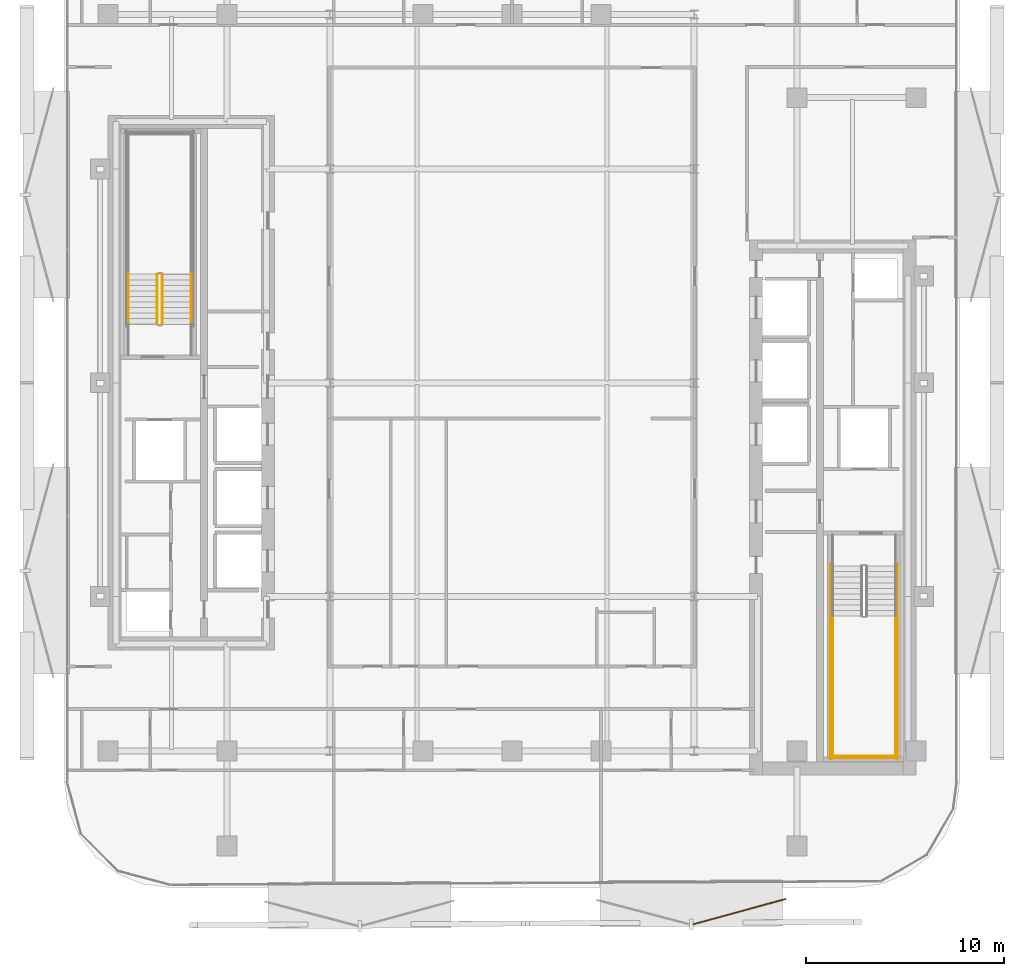
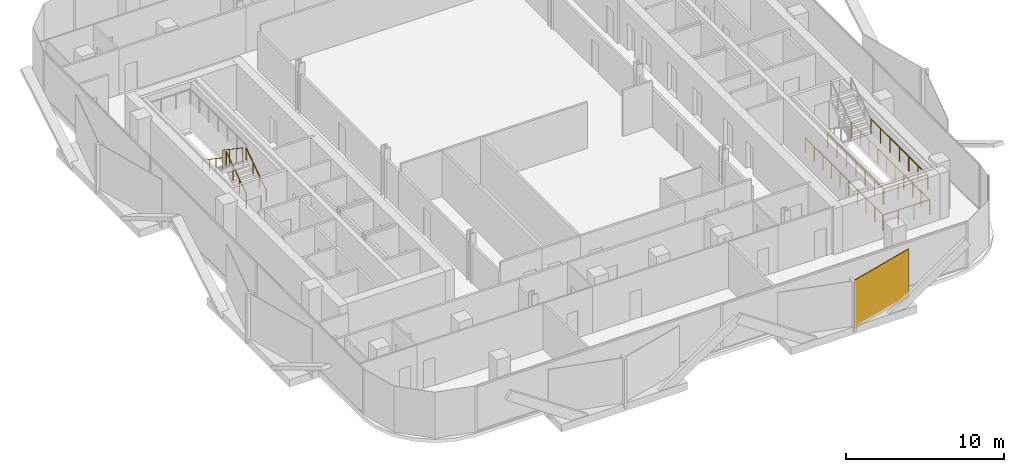
# One storey, part 14 of 17: 10 railings, 1 covering.
"""IFC4 building model written with IfcOpenShell, lengths in metres."""

from ifc_helpers import new_model, si_unit, direction, frame, origin, origin_2d, place, context, subcontext, project, spatial, rectangle, circle, extrude, material, layer, layer_set, type_object, element, save


model = new_model("IFC4")

# Units and contexts
model_context = context("Model", 3, precision=1e-05, world=origin(), true_north=direction((0.0, 1.0)))
body_context = subcontext(model_context, "Body", "Model", "MODEL_VIEW")
ifc_project = project(units=[si_unit("LENGTHUNIT", "METRE"), si_unit("AREAUNIT", "SQUARE_METRE"), si_unit("VOLUMEUNIT", "CUBIC_METRE"), si_unit("PLANEANGLEUNIT", "RADIAN"), si_unit("MASSUNIT", "GRAM", prefix="KILO")], contexts=[model_context])

# Site, building, storey
site_placement = place(None, origin())
site = spatial("IfcSite", under=ifc_project, at=site_placement, CompositionType="ELEMENT")
building_placement = place(site_placement, origin())
building = spatial("IfcBuilding", under=site, at=building_placement, Name="Khairoan Windgate Tower", CompositionType="ELEMENT")
storey_placement = place(building_placement, frame((0.0, 0.0, 203.0)))
storey = spatial("IfcBuildingStorey", under=building, at=storey_placement, Name="L47", CompositionType="ELEMENT", Elevation=203.0)

# Covering
ifc_material_1 = material(Name="Anodised Bronze Aluminium 6063-T6", Category="aluminium")
ifc_layer = layer(ifc_material_1, 0.054931640625, Name="Anodised Bronze Aluminium 6063-T6")
ifc_layer_set = layer_set([ifc_layer], Name="Anodised Bronze Aluminium 6063-T6")
covering_type = type_object("IfcCoveringType", Name="Perforated Bronze-Ceramic Folded Solar Screen Cladding BSC-1", PredefinedType="CLADDING", material=ifc_layer_set)
covering_placement = place(storey_placement, frame((11.498779296875, -26.708984375, -0.10009765625), z_axis=(0.0, 0.0, 1.0), x_axis=(-0.964649468762, -0.263536339841, 0.0)))
element("IfcCovering", 1, at=covering_placement, inside=storey, type_object=covering_type, Name="L47 Folded Bronze Solar Screen Facet 313L", PredefinedType="CLADDING", context=body_context, shape_type="SweptSolid", body=[
    extrude(rectangle(XDim=4.861083984375, YDim=0.054931640625, at=origin_2d()), origin(), (0.0, 0.0, 1.0), 3.739990234375),
])

# Railings
ifc_material_2 = material(Name="Anodised Bronze Aluminium 6063-T6", Category="aluminium")
railing_type_1 = type_object("IfcRailingType", Name="Stair Wall Handrail SHR-900", PredefinedType="HANDRAIL", material=ifc_material_2)
railing_1_placement = place(storey_placement, frame((-16.199951171875, 2.9599609375, 0.18994140625)))
element("IfcRailing", 2, at=railing_1_placement, inside=storey, type_object=railing_type_1, Name="L47 ST2 stair handrail 1", PredefinedType="HANDRAIL", context=body_context, shape_type="SweptSolid", body=[
    extrude(circle(Radius=0.02392578125, at=origin_2d()), frame((0.0, 0.0, 0.8759765625), z_axis=(0.0, 0.827483756001, 0.561489655786), x_axis=(-1.0, 0.0, 0.0)), (0.0, 0.0, 1.0), 3.04541015625),
    extrude(circle(Radius=0.02099609375, at=origin_2d()), origin(), (0.0, 0.0, 1.0), 0.851806640625),
    extrude(circle(Radius=0.02099609375, at=origin_2d()), frame((0.0, 0.840087890625, 0.570068359375)), (0.0, 0.0, 1.0), 0.851806640625),
    extrude(circle(Radius=0.02099609375, at=origin_2d()), frame((0.0, 1.679931640625, 1.139892578125)), (0.0, 0.0, 1.0), 0.851806640625),
    extrude(circle(Radius=0.02099609375, at=origin_2d()), frame((0.0, 2.52001953125, 1.7099609375)), (0.0, 0.0, 1.0), 0.851806640625),
])
railing_2_placement = place(storey_placement, frame((-19.3701171875, 5.47998046875, 2.090087890625)))
element("IfcRailing", 3, at=railing_2_placement, inside=storey, type_object=railing_type_1, Name="L47 ST2 stair handrail 2", PredefinedType="HANDRAIL", context=body_context, shape_type="SweptSolid", body=[
    extrude(circle(Radius=0.02392578125, at=origin_2d()), frame((0.0, 0.0, 0.8759765625), z_axis=(0.0, -0.827483756001, 0.561489655786), x_axis=(1.0, 0.0, 0.0)), (0.0, 0.0, 1.0), 3.04541015625),
    extrude(circle(Radius=0.02099609375, at=origin_2d()), origin(), (0.0, 0.0, 1.0), 0.851806640625),
    extrude(circle(Radius=0.02099609375, at=origin_2d()), frame((0.0, -0.840087890625, 0.570068359375)), (0.0, 0.0, 1.0), 0.851806640625),
    extrude(circle(Radius=0.02099609375, at=origin_2d()), frame((0.0, -1.679931640625, 1.139892578125)), (0.0, 0.0, 1.0), 0.851806640625),
    extrude(circle(Radius=0.02099609375, at=origin_2d()), frame((0.0, -2.52001953125, 1.7099609375)), (0.0, 0.0, 1.0), 0.851806640625),
])
ifc_material_3 = material(Name="Steel S355", Category="steel")
railing_type_2 = type_object("IfcRailingType", Name="Stairwell Safety Guardrail SGR-1150", PredefinedType="GUARDRAIL", material=ifc_material_3)
for number, where, name in (
    (4, (16.199951171875, -11.780029296875, 1.89990234375), "L47 ST1 stair guard 3"),
    (5, (19.3701171875, -11.780029296875, 1.89990234375), "L47 ST1 stair guard 4"),
):
    element("IfcRailing", number, at=place(storey_placement, frame(where)), inside=storey, type_object=railing_type_2, Name=name, PredefinedType="GUARDRAIL", context=body_context, shape_type="SweptSolid", body=[
        extrude(circle(Radius=0.02392578125, at=origin_2d()), frame((0.0, 0.0, 1.1259765625), z_axis=(0.0, -1.0, 0.0), x_axis=(1.0, 0.0, 0.0)), (0.0, 0.0, 1.0), 7.119873046875),
        extrude(circle(Radius=0.02099609375, at=origin_2d()), origin(), (0.0, 0.0, 1.0), 1.101806640625),
        extrude(circle(Radius=0.02099609375, at=origin_2d()), frame((0.0, -1.1865234375, 0.0)), (0.0, 0.0, 1.0), 1.101806640625),
        extrude(circle(Radius=0.02099609375, at=origin_2d()), frame((0.0, -2.373291015625, 0.0)), (0.0, 0.0, 1.0), 1.101806640625),
        extrude(circle(Radius=0.02099609375, at=origin_2d()), frame((0.0, -3.56005859375, 0.0)), (0.0, 0.0, 1.0), 1.101806640625),
        extrude(circle(Radius=0.02099609375, at=origin_2d()), frame((0.0, -4.74658203125, 0.0)), (0.0, 0.0, 1.0), 1.101806640625),
        extrude(circle(Radius=0.02099609375, at=origin_2d()), frame((0.0, -5.93310546875, 0.0)), (0.0, 0.0, 1.0), 1.101806640625),
        extrude(circle(Radius=0.02099609375, at=origin_2d()), frame((0.0, -7.119873046875, 0.0)), (0.0, 0.0, 1.0), 1.101806640625),
    ])
railing_3_placement = place(storey_placement, frame((16.14990234375, -18.85009765625, 1.89990234375)))
element("IfcRailing", 6, at=railing_3_placement, inside=storey, type_object=railing_type_2, Name="L47 ST1 stair guard 5", PredefinedType="GUARDRAIL", context=body_context, shape_type="SweptSolid", body=[
    extrude(circle(Radius=0.02392578125, at=origin_2d()), frame((0.0, 0.0, 1.1259765625), z_axis=(1.0, 0.0, 0.0), x_axis=(0.0, 1.0, 0.0)), (0.0, 0.0, 1.0), 3.27001953125),
    extrude(circle(Radius=0.02099609375, at=origin_2d()), origin(), (0.0, 0.0, 1.0), 1.101806640625),
    extrude(circle(Radius=0.02099609375, at=origin_2d()), frame((1.090087890625, 0.0, 0.0)), (0.0, 0.0, 1.0), 1.101806640625),
    extrude(circle(Radius=0.02099609375, at=origin_2d()), frame((2.179931640625, 0.0, 0.0)), (0.0, 0.0, 1.0), 1.101806640625),
    extrude(circle(Radius=0.02099609375, at=origin_2d()), frame((3.27001953125, 0.0, 0.0)), (0.0, 0.0, 1.0), 1.101806640625),
])
for number, where, name in (
    (7, (16.10009765625, -9.159912109375, 0.0), "L47 ST1 stair guard 10"),
    (8, (19.469970703125, -9.159912109375, 0.0), "L47 ST1 stair guard 11"),
):
    element("IfcRailing", number, at=place(storey_placement, frame(where)), inside=storey, type_object=railing_type_2, Name=name, PredefinedType="GUARDRAIL", context=body_context, shape_type="SweptSolid", body=[
        extrude(circle(Radius=0.02392578125, at=origin_2d()), frame((0.0, 0.0, 1.1259765625), z_axis=(0.0, -1.0, 0.0), x_axis=(1.0, 0.0, 0.0)), (0.0, 0.0, 1.0), 9.840087890625),
        extrude(circle(Radius=0.02099609375, at=origin_2d()), origin(), (0.0, 0.0, 1.0), 1.101806640625),
        extrude(circle(Radius=0.02099609375, at=origin_2d()), frame((0.0, -1.09326171875, 0.0)), (0.0, 0.0, 1.0), 1.101806640625),
        extrude(circle(Radius=0.02099609375, at=origin_2d()), frame((0.0, -2.186767578125, 0.0)), (0.0, 0.0, 1.0), 1.101806640625),
        extrude(circle(Radius=0.02099609375, at=origin_2d()), frame((0.0, -3.280029296875, 0.0)), (0.0, 0.0, 1.0), 1.101806640625),
        extrude(circle(Radius=0.02099609375, at=origin_2d()), frame((0.0, -4.373291015625, 0.0)), (0.0, 0.0, 1.0), 1.101806640625),
        extrude(circle(Radius=0.02099609375, at=origin_2d()), frame((0.0, -5.466796875, 0.0)), (0.0, 0.0, 1.0), 1.101806640625),
        extrude(circle(Radius=0.02099609375, at=origin_2d()), frame((0.0, -6.56005859375, 0.0)), (0.0, 0.0, 1.0), 1.101806640625),
        extrude(circle(Radius=0.02099609375, at=origin_2d()), frame((0.0, -7.6533203125, 0.0)), (0.0, 0.0, 1.0), 1.101806640625),
        extrude(circle(Radius=0.02099609375, at=origin_2d()), frame((0.0, -8.746826171875, 0.0)), (0.0, 0.0, 1.0), 1.101806640625),
        extrude(circle(Radius=0.02099609375, at=origin_2d()), frame((0.0, -9.840087890625, 0.0)), (0.0, 0.0, 1.0), 1.101806640625),
    ])
railing_4_placement = place(storey_placement, frame((16.050048828125, -18.949951171875, 0.0)))
element("IfcRailing", 9, at=railing_4_placement, inside=storey, type_object=railing_type_2, Name="L47 ST1 stair guard 12", PredefinedType="GUARDRAIL", context=body_context, shape_type="SweptSolid", body=[
    extrude(circle(Radius=0.02392578125, at=origin_2d()), frame((0.0, 0.0, 1.1259765625), z_axis=(1.0, 0.0, 0.0), x_axis=(0.0, 1.0, 0.0)), (0.0, 0.0, 1.0), 3.469970703125),
    extrude(circle(Radius=0.02099609375, at=origin_2d()), origin(), (0.0, 0.0, 1.0), 1.101806640625),
    extrude(circle(Radius=0.02099609375, at=origin_2d()), frame((1.15673828125, 0.0, 0.0)), (0.0, 0.0, 1.0), 1.101806640625),
    extrude(circle(Radius=0.02099609375, at=origin_2d()), frame((2.313232421875, 0.0, 0.0)), (0.0, 0.0, 1.0), 1.101806640625),
    extrude(circle(Radius=0.02099609375, at=origin_2d()), frame((3.469970703125, 0.0, 0.0)), (0.0, 0.0, 1.0), 1.101806640625),
])
railing_5_placement = place(storey_placement, frame((-17.659912109375, 2.9599609375, 0.18994140625)))
element("IfcRailing", 10, at=railing_5_placement, inside=storey, type_object=railing_type_2, Name="L47 ST2 stair guard 1", PredefinedType="GUARDRAIL", context=body_context, shape_type="SweptSolid", body=[
    extrude(circle(Radius=0.02392578125, at=origin_2d()), frame((0.0, 0.0, 1.1259765625), z_axis=(0.0, 0.827483756001, 0.561489655786), x_axis=(-1.0, 0.0, 0.0)), (0.0, 0.0, 1.0), 3.04541015625),
    extrude(circle(Radius=0.02099609375, at=origin_2d()), origin(), (0.0, 0.0, 1.0), 1.101806640625),
    extrude(circle(Radius=0.02099609375, at=origin_2d()), frame((0.0, 0.840087890625, 0.570068359375)), (0.0, 0.0, 1.0), 1.101806640625),
    extrude(circle(Radius=0.02099609375, at=origin_2d()), frame((0.0, 1.679931640625, 1.139892578125)), (0.0, 0.0, 1.0), 1.101806640625),
    extrude(circle(Radius=0.02099609375, at=origin_2d()), frame((0.0, 2.52001953125, 1.7099609375)), (0.0, 0.0, 1.0), 1.101806640625),
])
railing_6_placement = place(storey_placement, frame((-17.909912109375, 5.47998046875, 2.090087890625)))
element("IfcRailing", 11, at=railing_6_placement, inside=storey, type_object=railing_type_2, Name="L47 ST2 stair guard 6", PredefinedType="GUARDRAIL", context=body_context, shape_type="SweptSolid", body=[
    extrude(circle(Radius=0.02392578125, at=origin_2d()), frame((0.0, 0.0, 1.1259765625), z_axis=(0.0, -0.827483756001, 0.561489655786), x_axis=(1.0, 0.0, 0.0)), (0.0, 0.0, 1.0), 3.04541015625),
    extrude(circle(Radius=0.02099609375, at=origin_2d()), origin(), (0.0, 0.0, 1.0), 1.101806640625),
    extrude(circle(Radius=0.02099609375, at=origin_2d()), frame((0.0, -0.840087890625, 0.570068359375)), (0.0, 0.0, 1.0), 1.101806640625),
    extrude(circle(Radius=0.02099609375, at=origin_2d()), frame((0.0, -1.679931640625, 1.139892578125)), (0.0, 0.0, 1.0), 1.101806640625),
    extrude(circle(Radius=0.02099609375, at=origin_2d()), frame((0.0, -2.52001953125, 1.7099609375)), (0.0, 0.0, 1.0), 1.101806640625),
])

save(model, "model.ifc")
